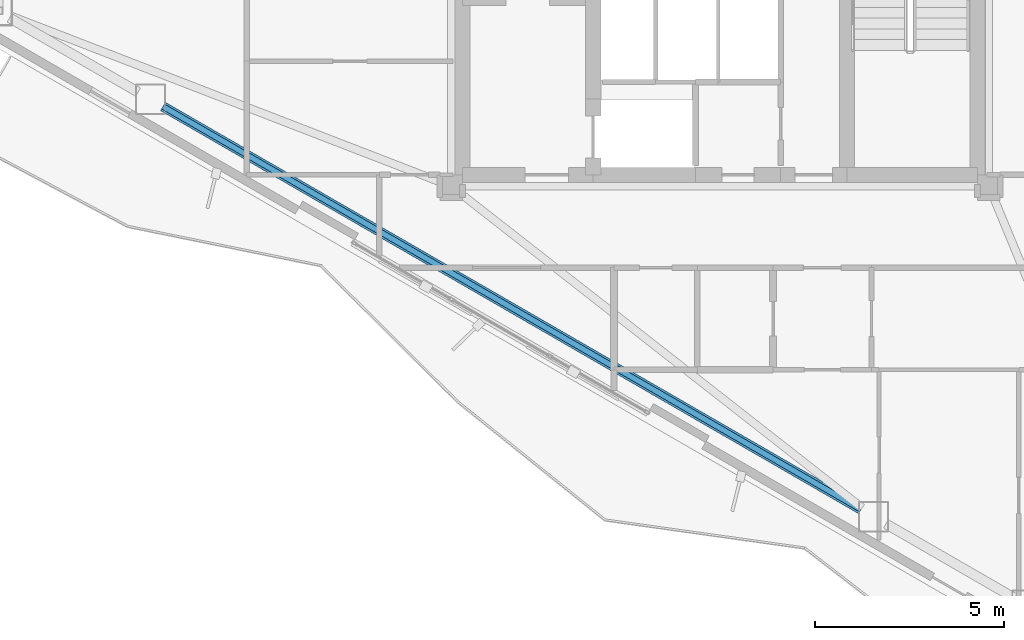
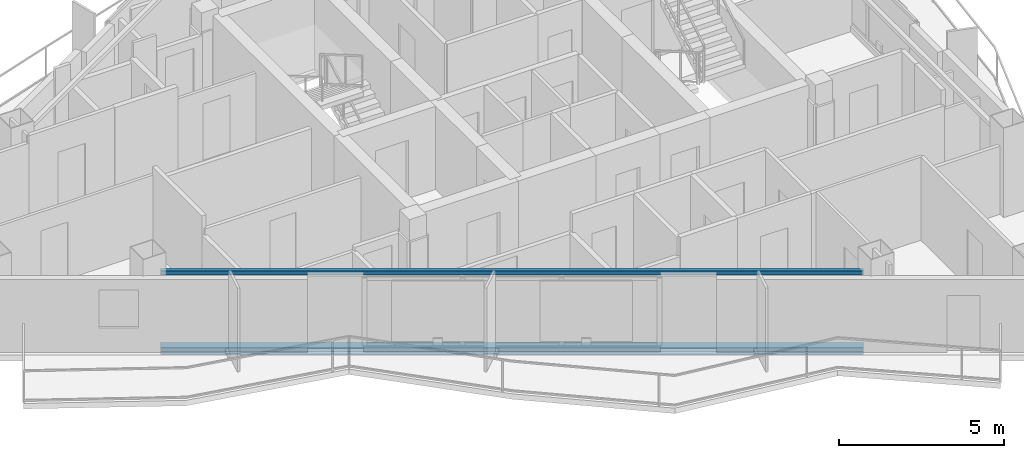
# One storey, part 3 of 22: 2 beams.
"""IFC4 building model written with IfcOpenShell, lengths in metres."""

from ifc_helpers import new_model, si_unit, direction, frame, origin, origin_2d, place, context, subcontext, project, spatial, hollow_rectangle, i_section, extrude, material, material_profile, profile_set, type_object, element, save


model = new_model("IFC4")

# Units and contexts
model_context = context("Model", 3, precision=1e-05, world=origin(), true_north=direction((0.0, 1.0)))
body_context = subcontext(model_context, "Body", "Model", "MODEL_VIEW")
ifc_project = project(units=[si_unit("LENGTHUNIT", "METRE"), si_unit("AREAUNIT", "SQUARE_METRE"), si_unit("VOLUMEUNIT", "CUBIC_METRE"), si_unit("PLANEANGLEUNIT", "RADIAN"), si_unit("MASSUNIT", "GRAM", prefix="KILO")], contexts=[model_context])

# Site, building, storey
site_placement = place(None, origin())
site = spatial("IfcSite", under=ifc_project, at=site_placement, CompositionType="ELEMENT")
building_placement = place(site_placement, origin())
building = spatial("IfcBuilding", under=site, at=building_placement, Name="Mersakhor Tower and Convention Hall", CompositionType="ELEMENT")
storey_placement = place(building_placement, frame((0.0, 0.0, 198.60009765625)))
storey = spatial("IfcBuildingStorey", under=building, at=storey_placement, Name="L55", CompositionType="ELEMENT", Elevation=198.60009765625)

# Beams
ifc_material_1 = material(Name="Steel S355", Category="steel")
ifc_material_profile_1 = material_profile(ifc_material_1, hollow_rectangle(XDim=0.14990234375, YDim=0.14990234375, WallThickness=0.010009765625, at=origin_2d()), Name="SHS 150x150x10")
ifc_profile_set_1 = profile_set([ifc_material_profile_1], Name="Steel S355")
beam_type_1 = type_object("IfcBeamType", Name="BM-GRT-SHS150", PredefinedType="USERDEFINED", material=ifc_profile_set_1)
beam_1_placement = place(storey_placement, frame((32.72265625, 11.912353515625, 2.47998046875), z_axis=(-0.866024569776, 0.500001444543, 0.0), x_axis=(-0.500001444543, -0.866024569776, 0.0)))
element("IfcBeam", 1, at=beam_1_placement, inside=storey, type_object=beam_type_1, Name="L55 Facade Support Girt GRT-F3", ObjectType="GIRT", PredefinedType="USERDEFINED", context=body_context, shape_type="SweptSolid", body=[
    extrude(hollow_rectangle(XDim=0.14990234375, YDim=0.14990234375, WallThickness=0.010009765625, at=origin_2d()), origin(), (0.0, 0.0, 1.0), 21.28564453125),
])
ifc_material_2 = material(Name="Steel S355", Category="steel")
ifc_material_profile_2 = material_profile(ifc_material_2, i_section(OverallWidth=0.25634765625, OverallDepth=0.26025390625, WebThickness=0.01025390625, FlangeThickness=0.017333984375, at=origin_2d()), Name="UC 254x254x89")
ifc_profile_set_2 = profile_set([ifc_material_profile_2], Name="Steel S355")
beam_type_2 = type_object("IfcBeamType", Name="BM-SPD-UC254", PredefinedType="SPANDREL", material=ifc_profile_set_2)
beam_2_placement = place(storey_placement, frame((32.72265625, 11.912353515625, -0.360107421875), z_axis=(-0.866024569776, 0.500001444543, 0.0), x_axis=(-0.500001444543, -0.866024569776, 0.0)))
element("IfcBeam", 2, at=beam_2_placement, inside=storey, type_object=beam_type_2, Name="L55 Perimeter Spandrel Beam SPB-10", PredefinedType="SPANDREL", context=body_context, shape_type="SweptSolid", body=[
    extrude(i_section(OverallWidth=0.25634765625, OverallDepth=0.26025390625, WebThickness=0.01025390625, FlangeThickness=0.017333984375, at=origin_2d()), origin(), (0.0, 0.0, 1.0), 21.28564453125),
])

save(model, "model.ifc")
